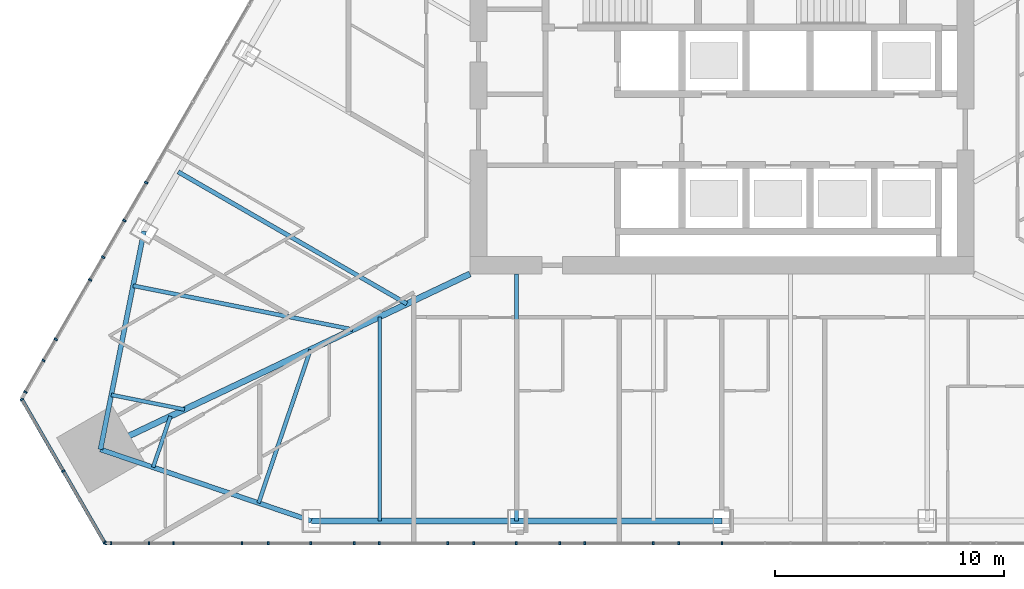
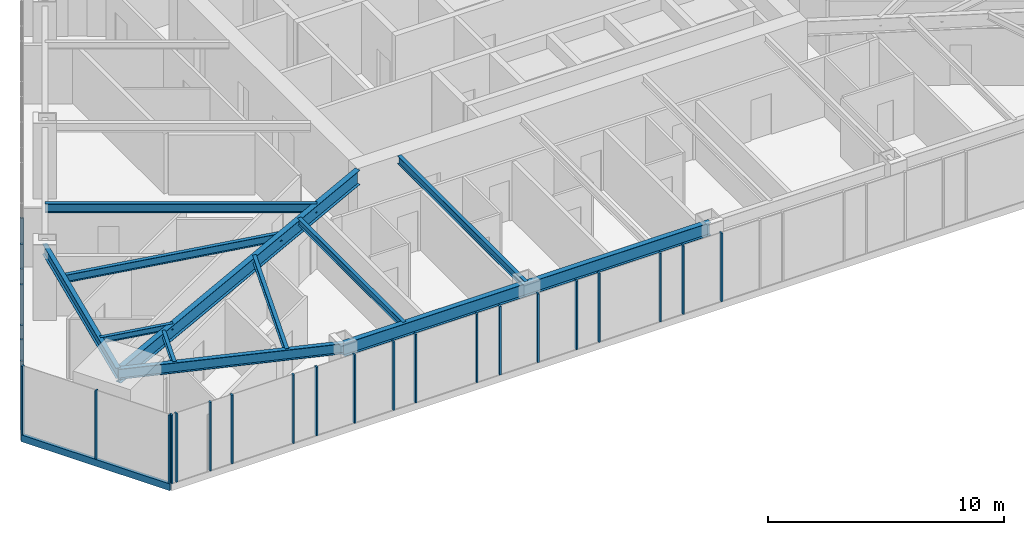
# One storey, part 2 of 26: 28 members, 11 beams, 3 elements without a shape of their own.
"""IFC4 building model written with IfcOpenShell, lengths in metres."""

from ifc_helpers import new_model, si_unit, direction, frame, origin, origin_2d, place, context, subcontext, project, spatial, rectangle, i_section, extrude, material, layer, layer_set, material_profile, profile_set, type_object, element, aggregate, save


model = new_model("IFC4")

# Units and contexts
model_context = context("Model", 3, precision=1e-05, world=origin(), true_north=direction((0.0, 1.0)))
body_context = subcontext(model_context, "Body", "Model", "MODEL_VIEW")
ifc_project = project(units=[si_unit("LENGTHUNIT", "METRE"), si_unit("AREAUNIT", "SQUARE_METRE"), si_unit("VOLUMEUNIT", "CUBIC_METRE"), si_unit("PLANEANGLEUNIT", "RADIAN"), si_unit("MASSUNIT", "GRAM", prefix="KILO")], contexts=[model_context])

# Site, building, storey
site_placement = place(None, origin())
site = spatial("IfcSite", under=ifc_project, at=site_placement, CompositionType="ELEMENT")
building_placement = place(site_placement, origin())
building = spatial("IfcBuilding", under=site, at=building_placement, Name="Firuza Gate Tower and Library", CompositionType="ELEMENT")
storey_placement = place(building_placement, frame((0.0, 0.0, 175.300048828125)))
storey = spatial("IfcBuildingStorey", under=building, at=storey_placement, Name="L40", CompositionType="ELEMENT", Elevation=175.300048828125)

# Curtain wall, members
ifc_material_1 = material(Name="Aluminium 6063-T6", Category="aluminium")
ifc_layer_1 = layer(ifc_material_1, 0.14990234375)
ifc_layer_set_1 = layer_set([ifc_layer_1], Name="Unitised curtain wall, hotel")
curtain_wall_type_1 = type_object("IfcCurtainWallType", Name="Unitised curtain wall, hotel", PredefinedType="NOTDEFINED", material=ifc_layer_set_1)
placement = place(storey_placement, origin())
curtain_wall_1 = element("IfcCurtainWall", 1, at=placement, inside=storey, type_object=curtain_wall_type_1, Name="CW2 L40 S face", PredefinedType="NOTDEFINED")
ifc_material_2 = material(Name="Aluminium 6063-T6", Category="aluminium")
ifc_material_profile_1 = material_profile(ifc_material_2, rectangle(XDim=0.14990234375, YDim=0.080078125, at=origin_2d()))
ifc_profile_set_1 = profile_set([ifc_material_profile_1], Name="Aluminium 6063-T6")
member_type_1 = type_object("IfcMemberType", Name="Curtain wall mullion 80x150", PredefinedType="MULLION", material=ifc_profile_set_1)
member_1_placement = place(storey_placement, frame((48.11083984375, 55.24560546875, 0.14990234375), z_axis=(0.0, 0.0, 1.0), x_axis=(0.0, 1.0, 0.0)))
member_1 = element("IfcMember", 2, at=member_1_placement, type_object=member_type_1, Name="Mullion", PredefinedType="MULLION", context=body_context, shape_type="SweptSolid", body=[
    extrude(rectangle(XDim=0.14990234375, YDim=0.080078125, at=origin_2d()), origin(), (0.0, 0.0, 1.0), 3.550048828125),
])
member_2_placement = place(storey_placement, frame((51.06298828125, 55.24560546875, 0.14990234375), z_axis=(0.0, 0.0, 1.0), x_axis=(0.0, 1.0, 0.0)))
member_2 = element("IfcMember", 3, at=member_2_placement, type_object=member_type_1, Name="Mullion", PredefinedType="MULLION", context=body_context, shape_type="SweptSolid", body=[
    extrude(rectangle(XDim=0.14990234375, YDim=0.080078125, at=origin_2d()), origin(), (0.0, 0.0, 1.0), 3.550048828125),
])
member_3_placement = place(storey_placement, frame((54.05517578125, 55.24560546875, 0.14990234375), z_axis=(0.0, 0.0, 1.0), x_axis=(0.0, 1.0, 0.0)))
member_3 = element("IfcMember", 4, at=member_3_placement, type_object=member_type_1, Name="Mullion", PredefinedType="MULLION", context=body_context, shape_type="SweptSolid", body=[
    extrude(rectangle(XDim=0.14990234375, YDim=0.080078125, at=origin_2d()), origin(), (0.0, 0.0, 1.0), 3.550048828125),
])
member_4_placement = place(storey_placement, frame((57.04736328125, 55.24560546875, 0.14990234375), z_axis=(0.0, 0.0, 1.0), x_axis=(0.0, 1.0, 0.0)))
member_4 = element("IfcMember", 5, at=member_4_placement, type_object=member_type_1, Name="Mullion", PredefinedType="MULLION", context=body_context, shape_type="SweptSolid", body=[
    extrude(rectangle(XDim=0.14990234375, YDim=0.080078125, at=origin_2d()), origin(), (0.0, 0.0, 1.0), 3.550048828125),
])
member_5_placement = place(storey_placement, frame((60.039306640625, 55.24560546875, 0.14990234375), z_axis=(0.0, 0.0, 1.0), x_axis=(0.0, 1.0, 0.0)))
member_5 = element("IfcMember", 6, at=member_5_placement, type_object=member_type_1, Name="Mullion", PredefinedType="MULLION", context=body_context, shape_type="SweptSolid", body=[
    extrude(rectangle(XDim=0.14990234375, YDim=0.080078125, at=origin_2d()), origin(), (0.0, 0.0, 1.0), 3.550048828125),
])
member_6_placement = place(storey_placement, frame((63.031494140625, 55.24560546875, 0.14990234375), z_axis=(0.0, 0.0, 1.0), x_axis=(0.0, 1.0, 0.0)))
member_6 = element("IfcMember", 7, at=member_6_placement, type_object=member_type_1, Name="Mullion", PredefinedType="MULLION", context=body_context, shape_type="SweptSolid", body=[
    extrude(rectangle(XDim=0.14990234375, YDim=0.080078125, at=origin_2d()), origin(), (0.0, 0.0, 1.0), 3.550048828125),
])
member_7_placement = place(storey_placement, frame((66.023681640625, 55.24560546875, 0.14990234375), z_axis=(0.0, 0.0, 1.0), x_axis=(0.0, 1.0, 0.0)))
member_7 = element("IfcMember", 8, at=member_7_placement, type_object=member_type_1, Name="Mullion", PredefinedType="MULLION", context=body_context, shape_type="SweptSolid", body=[
    extrude(rectangle(XDim=0.14990234375, YDim=0.080078125, at=origin_2d()), origin(), (0.0, 0.0, 1.0), 3.550048828125),
])
member_8_placement = place(storey_placement, frame((69.015869140625, 55.24560546875, 0.14990234375), z_axis=(0.0, 0.0, 1.0), x_axis=(0.0, 1.0, 0.0)))
member_8 = element("IfcMember", 9, at=member_8_placement, type_object=member_type_1, Name="Mullion", PredefinedType="MULLION", context=body_context, shape_type="SweptSolid", body=[
    extrude(rectangle(XDim=0.14990234375, YDim=0.080078125, at=origin_2d()), origin(), (0.0, 0.0, 1.0), 3.550048828125),
])
member_9_placement = place(storey_placement, frame((72.0078125, 55.24560546875, 0.14990234375), z_axis=(0.0, 0.0, 1.0), x_axis=(0.0, 1.0, 0.0)))
member_9 = element("IfcMember", 10, at=member_9_placement, type_object=member_type_1, Name="Mullion", PredefinedType="MULLION", context=body_context, shape_type="SweptSolid", body=[
    extrude(rectangle(XDim=0.14990234375, YDim=0.080078125, at=origin_2d()), origin(), (0.0, 0.0, 1.0), 3.550048828125),
])
member_10_placement = place(storey_placement, frame((75.0, 55.24560546875, 0.14990234375), z_axis=(0.0, 0.0, 1.0), x_axis=(0.0, 1.0, 0.0)))
member_10 = element("IfcMember", 11, at=member_10_placement, type_object=member_type_1, Name="Mullion", PredefinedType="MULLION", context=body_context, shape_type="SweptSolid", body=[
    extrude(rectangle(XDim=0.14990234375, YDim=0.080078125, at=origin_2d()), origin(), (0.0, 0.0, 1.0), 3.550048828125),
])
member_11_placement = place(storey_placement, frame((48.3369140625, 55.24560546875, 0.14990234375), z_axis=(0.0, 0.0, 1.0), x_axis=(0.0, 1.0, 0.0)))
member_11 = element("IfcMember", 12, at=member_11_placement, type_object=member_type_1, Name="Mullion", PredefinedType="MULLION", context=body_context, shape_type="SweptSolid", body=[
    extrude(rectangle(XDim=0.14990234375, YDim=0.080078125, at=origin_2d()), origin(), (0.0, 0.0, 1.0), 3.550048828125),
])
member_12_placement = place(storey_placement, frame((49.9921875, 55.24560546875, 0.14990234375), z_axis=(0.0, 0.0, 1.0), x_axis=(0.0, 1.0, 0.0)))
member_12 = element("IfcMember", 13, at=member_12_placement, type_object=member_type_1, Name="Mullion", PredefinedType="MULLION", context=body_context, shape_type="SweptSolid", body=[
    extrude(rectangle(XDim=0.14990234375, YDim=0.080078125, at=origin_2d()), origin(), (0.0, 0.0, 1.0), 3.550048828125),
])
member_13_placement = place(storey_placement, frame((55.1982421875, 55.24560546875, 0.14990234375), z_axis=(0.0, 0.0, 1.0), x_axis=(0.0, 1.0, 0.0)))
member_13 = element("IfcMember", 14, at=member_13_placement, type_object=member_type_1, Name="Mullion", PredefinedType="MULLION", context=body_context, shape_type="SweptSolid", body=[
    extrude(rectangle(XDim=0.14990234375, YDim=0.080078125, at=origin_2d()), origin(), (0.0, 0.0, 1.0), 3.550048828125),
])
member_14_placement = place(storey_placement, frame((58.9541015625, 55.24560546875, 0.14990234375), z_axis=(0.0, 0.0, 1.0), x_axis=(0.0, 1.0, 0.0)))
member_14 = element("IfcMember", 15, at=member_14_placement, type_object=member_type_1, Name="Mullion", PredefinedType="MULLION", context=body_context, shape_type="SweptSolid", body=[
    extrude(rectangle(XDim=0.14990234375, YDim=0.080078125, at=origin_2d()), origin(), (0.0, 0.0, 1.0), 3.550048828125),
])
member_15_placement = place(storey_placement, frame((64.16015625, 55.24560546875, 0.14990234375), z_axis=(0.0, 0.0, 1.0), x_axis=(0.0, 1.0, 0.0)))
member_15 = element("IfcMember", 16, at=member_15_placement, type_object=member_type_1, Name="Mullion", PredefinedType="MULLION", context=body_context, shape_type="SweptSolid", body=[
    extrude(rectangle(XDim=0.14990234375, YDim=0.080078125, at=origin_2d()), origin(), (0.0, 0.0, 1.0), 3.550048828125),
])
member_16_placement = place(storey_placement, frame((67.916015625, 55.24560546875, 0.14990234375), z_axis=(0.0, 0.0, 1.0), x_axis=(0.0, 1.0, 0.0)))
member_16 = element("IfcMember", 17, at=member_16_placement, type_object=member_type_1, Name="Mullion", PredefinedType="MULLION", context=body_context, shape_type="SweptSolid", body=[
    extrude(rectangle(XDim=0.14990234375, YDim=0.080078125, at=origin_2d()), origin(), (0.0, 0.0, 1.0), 3.550048828125),
])
member_17_placement = place(storey_placement, frame((73.1220703125, 55.24560546875, 0.14990234375), z_axis=(0.0, 0.0, 1.0), x_axis=(0.0, 1.0, 0.0)))
member_17 = element("IfcMember", 18, at=member_17_placement, type_object=member_type_1, Name="Mullion", PredefinedType="MULLION", context=body_context, shape_type="SweptSolid", body=[
    extrude(rectangle(XDim=0.14990234375, YDim=0.080078125, at=origin_2d()), origin(), (0.0, 0.0, 1.0), 3.550048828125),
])
aggregate(curtain_wall_1, [member_1, member_2, member_3, member_4, member_5, member_6, member_7, member_8, member_9, member_10, member_11, member_12, member_13, member_14, member_15, member_16, member_17])

curtain_wall_2 = element("IfcCurtainWall", 19, at=placement, inside=storey, type_object=curtain_wall_type_1, Name="CW2 L40 W face", PredefinedType="NOTDEFINED")
member_18_placement = place(storey_placement, frame((48.915771484375, 69.32958984375, 0.14990234375), z_axis=(0.0, 0.0, 1.0), x_axis=(0.866025403784, -0.5, 0.0)))
member_18 = element("IfcMember", 20, at=member_18_placement, type_object=member_type_1, Name="Mullion", PredefinedType="MULLION", context=body_context, shape_type="SweptSolid", body=[
    extrude(rectangle(XDim=0.14990234375, YDim=0.080078125, at=origin_2d()), origin(), (0.0, 0.0, 1.0), 3.550048828125),
])
member_19_placement = place(storey_placement, frame((47.419677734375, 66.738525390625, 0.14990234375), z_axis=(0.0, 0.0, 1.0), x_axis=(0.866025403784, -0.5, 0.0)))
member_19 = element("IfcMember", 21, at=member_19_placement, type_object=member_type_1, Name="Mullion", PredefinedType="MULLION", context=body_context, shape_type="SweptSolid", body=[
    extrude(rectangle(XDim=0.14990234375, YDim=0.080078125, at=origin_2d()), origin(), (0.0, 0.0, 1.0), 3.550048828125),
])
member_20_placement = place(storey_placement, frame((45.923583984375, 64.147216796875, 0.14990234375), z_axis=(0.0, 0.0, 1.0), x_axis=(0.866025403784, -0.5, 0.0)))
member_20 = element("IfcMember", 22, at=member_20_placement, type_object=member_type_1, Name="Mullion", PredefinedType="MULLION", context=body_context, shape_type="SweptSolid", body=[
    extrude(rectangle(XDim=0.14990234375, YDim=0.080078125, at=origin_2d()), origin(), (0.0, 0.0, 1.0), 3.550048828125),
])
member_21_placement = place(storey_placement, frame((49.869140625, 70.981201171875, 0.14990234375), z_axis=(0.0, 0.0, 1.0), x_axis=(0.866025403784, -0.5, 0.0)))
member_21 = element("IfcMember", 23, at=member_21_placement, type_object=member_type_1, Name="Mullion", PredefinedType="MULLION", context=body_context, shape_type="SweptSolid", body=[
    extrude(rectangle(XDim=0.14990234375, YDim=0.080078125, at=origin_2d()), origin(), (0.0, 0.0, 1.0), 3.550048828125),
])
member_22_placement = place(storey_placement, frame((47.9912109375, 67.728271484375, 0.14990234375), z_axis=(0.0, 0.0, 1.0), x_axis=(0.866025403784, -0.5, 0.0)))
member_22 = element("IfcMember", 24, at=member_22_placement, type_object=member_type_1, Name="Mullion", PredefinedType="MULLION", context=body_context, shape_type="SweptSolid", body=[
    extrude(rectangle(XDim=0.14990234375, YDim=0.080078125, at=origin_2d()), origin(), (0.0, 0.0, 1.0), 3.550048828125),
])
member_23_placement = place(storey_placement, frame((45.38818359375, 63.219970703125, 0.14990234375), z_axis=(0.0, 0.0, 1.0), x_axis=(0.866025403784, -0.5, 0.0)))
member_23 = element("IfcMember", 25, at=member_23_placement, type_object=member_type_1, Name="Mullion", PredefinedType="MULLION", context=body_context, shape_type="SweptSolid", body=[
    extrude(rectangle(XDim=0.14990234375, YDim=0.080078125, at=origin_2d()), origin(), (0.0, 0.0, 1.0), 3.550048828125),
])
member_24_placement = place(storey_placement, frame((44.59326171875, 61.8427734375, 0.14990234375), z_axis=(0.0, 0.0, 1.0), x_axis=(0.866025403784, -0.5, 0.0)))
member_24 = element("IfcMember", 26, at=member_24_placement, type_object=member_type_1, Name="Mullion", PredefinedType="MULLION", context=body_context, shape_type="SweptSolid", body=[
    extrude(rectangle(XDim=0.14990234375, YDim=0.080078125, at=origin_2d()), origin(), (0.0, 0.0, 1.0), 3.550048828125),
])
aggregate(curtain_wall_2, [member_18, member_19, member_20, member_21, member_22, member_23, member_24])

ifc_material_3 = material(Name="Aluminium 6063-T6", Category="aluminium")
ifc_layer_2 = layer(ifc_material_3, 0.14990234375)
ifc_layer_set_2 = layer_set([ifc_layer_2], Name="Corner curtain wall, chamfers")
curtain_wall_type_2 = type_object("IfcCurtainWallType", Name="Corner curtain wall, chamfers", PredefinedType="NOTDEFINED", material=ifc_layer_set_2)
curtain_wall_3 = element("IfcCurtainWall", 27, at=placement, inside=storey, type_object=curtain_wall_type_2, Name="CW4 L40 SW corner", PredefinedType="NOTDEFINED")
member_25_placement = place(storey_placement, frame((44.447509765625, 61.521240234375, 0.14990234375), z_axis=(0.0, 0.0, 1.0), x_axis=(0.866025403784, 0.5, 0.0)))
member_25 = element("IfcMember", 28, at=member_25_placement, type_object=member_type_1, Name="Mullion", PredefinedType="MULLION", context=body_context, shape_type="SweptSolid", body=[
    extrude(rectangle(XDim=0.14990234375, YDim=0.080078125, at=origin_2d()), origin(), (0.0, 0.0, 1.0), 3.550048828125),
])
member_26_placement = place(storey_placement, frame((46.249267578125, 58.400634765625, 0.14990234375), z_axis=(0.0, 0.0, 1.0), x_axis=(0.866025403784, 0.5, 0.0)))
member_26 = element("IfcMember", 29, at=member_26_placement, type_object=member_type_1, Name="Mullion", PredefinedType="MULLION", context=body_context, shape_type="SweptSolid", body=[
    extrude(rectangle(XDim=0.14990234375, YDim=0.080078125, at=origin_2d()), origin(), (0.0, 0.0, 1.0), 3.550048828125),
])
member_27_placement = place(storey_placement, frame((48.051025390625, 55.2802734375, 0.14990234375), z_axis=(0.0, 0.0, 1.0), x_axis=(0.866025403784, 0.5, 0.0)))
member_27 = element("IfcMember", 30, at=member_27_placement, type_object=member_type_1, Name="Mullion", PredefinedType="MULLION", context=body_context, shape_type="SweptSolid", body=[
    extrude(rectangle(XDim=0.14990234375, YDim=0.080078125, at=origin_2d()), origin(), (0.0, 0.0, 1.0), 3.550048828125),
])
ifc_material_4 = material(Name="Aluminium 6063-T6", Category="aluminium")
ifc_material_profile_2 = material_profile(ifc_material_4, rectangle(XDim=0.14990234375, YDim=0.35009765625, at=origin_2d()))
ifc_profile_set_2 = profile_set([ifc_material_profile_2], Name="Aluminium 6063-T6")
member_type_2 = type_object("IfcMemberType", Name="Curtain wall transom 350x150", PredefinedType="USERDEFINED", material=ifc_profile_set_2)
member_28_placement = place(storey_placement, frame((44.427734375, 61.555908203125, -0.025146484375), z_axis=(0.499980589496, -0.866036610154, 0.0), x_axis=(0.866036610154, 0.499980589496, 0.0)))
member_28 = element("IfcMember", 31, at=member_28_placement, type_object=member_type_2, Name="Transom", ObjectType="TRANSOM", PredefinedType="USERDEFINED", context=body_context, shape_type="SweptSolid", body=[
    extrude(rectangle(XDim=0.14990234375, YDim=0.35009765625, at=origin_2d()), origin(), (0.0, 0.0, 1.0), 7.286376953125),
])
aggregate(curtain_wall_3, [member_25, member_26, member_27, member_28])

# Beams
ifc_material_5 = material(Name="Steel S355", Category="steel")
ifc_material_profile_3 = material_profile(ifc_material_5, i_section(OverallWidth=0.1650390625, OverallDepth=0.31005859375, WebThickness=0.005859375, FlangeThickness=0.009765625, at=origin_2d()))
ifc_profile_set_3 = profile_set([ifc_material_profile_3], Name="Steel S355")
beam_type_1 = type_object("IfcBeamType", Name="W310x39 Floor beam", PredefinedType="JOIST", material=ifc_profile_set_3)
beam_1_placement = place(storey_placement, frame((48.348388671875, 61.720458984375, 3.544921875), z_axis=(0.980672759664, -0.195655151867, 0.0), x_axis=(0.195655151867, 0.980672759664, 0.0)))
element("IfcBeam", 32, at=beam_1_placement, inside=storey, type_object=beam_type_1, Name="Floor beam L40 s01", PredefinedType="JOIST", context=body_context, shape_type="SweptSolid", body=[
    extrude(i_section(OverallWidth=0.1650390625, OverallDepth=0.31005859375, WebThickness=0.005859375, FlangeThickness=0.009765625, at=origin_2d()), origin(), (0.0, 0.0, 1.0), 3.25927734375),
])
beam_2_placement = place(storey_placement, frame((50.173828125, 58.558837890625, 3.544921875), z_axis=(0.320886488599, 0.947117659763, 0.0), x_axis=(-0.947117659763, 0.320886488599, 0.0)))
element("IfcBeam", 33, at=beam_2_placement, inside=storey, type_object=beam_type_1, Name="Floor beam L40 s10", PredefinedType="JOIST", context=body_context, shape_type="SweptSolid", body=[
    extrude(i_section(OverallWidth=0.1650390625, OverallDepth=0.31005859375, WebThickness=0.005859375, FlangeThickness=0.009765625, at=origin_2d()), origin(), (0.0, 0.0, 1.0), 2.356201171875),
])
ifc_material_6 = material(Name="Steel S355", Category="steel")
ifc_material_profile_4 = material_profile(ifc_material_6, i_section(OverallWidth=0.1708984375, OverallDepth=0.35498046875, WebThickness=0.007080078125, FlangeThickness=0.01171875, at=origin_2d()))
ifc_profile_set_4 = profile_set([ifc_material_profile_4], Name="Steel S355")
beam_type_2 = type_object("IfcBeamType", Name="W360x51 Floor beam", PredefinedType="JOIST", material=ifc_profile_set_4)
beam_3_placement = place(storey_placement, frame((54.775390625, 57.0, 3.5224609375), z_axis=(0.320855506984, 0.947128155868, 0.0), x_axis=(-0.947128155868, 0.320855506984, 0.0)))
element("IfcBeam", 34, at=beam_3_placement, inside=storey, type_object=beam_type_2, Name="Floor beam L40 s11", PredefinedType="JOIST", context=body_context, shape_type="SweptSolid", body=[
    extrude(i_section(OverallWidth=0.1708984375, OverallDepth=0.35498046875, WebThickness=0.007080078125, FlangeThickness=0.01171875, at=origin_2d()), origin(), (0.0, 0.0, 1.0), 7.06884765625),
])
beam_4_placement = place(storey_placement, frame((60.0634765625, 56.220458984375, 3.5224609375), z_axis=(0.0, 1.0, 0.0), x_axis=(-1.0, 0.0, 0.0)))
element("IfcBeam", 35, at=beam_4_placement, inside=storey, type_object=beam_type_2, Name="Floor beam L40 s20", PredefinedType="JOIST", context=body_context, shape_type="SweptSolid", body=[
    extrude(i_section(OverallWidth=0.1708984375, OverallDepth=0.35498046875, WebThickness=0.007080078125, FlangeThickness=0.01171875, at=origin_2d()), origin(), (0.0, 0.0, 1.0), 8.909423828125),
])
ifc_material_7 = material(Name="Steel S355", Category="steel")
ifc_material_profile_5 = material_profile(ifc_material_7, i_section(OverallWidth=0.177978515625, OverallDepth=0.406982421875, WebThickness=0.0078125, FlangeThickness=0.0126953125, at=origin_2d()))
ifc_profile_set_5 = profile_set([ifc_material_profile_5], Name="Steel S355")
beam_type_3 = type_object("IfcBeamType", Name="W410x60 Floor beam", PredefinedType="JOIST", material=ifc_profile_set_5)
beam_5_placement = place(storey_placement, frame((49.29931640625, 66.48486328125, 3.496337890625), z_axis=(0.980667968547, -0.195679164617, 0.0), x_axis=(0.195679164617, 0.980667968547, 0.0)))
element("IfcBeam", 36, at=beam_5_placement, inside=storey, type_object=beam_type_3, Name="Floor beam L40 s00", PredefinedType="JOIST", context=body_context, shape_type="SweptSolid", body=[
    extrude(i_section(OverallWidth=0.177978515625, OverallDepth=0.406982421875, WebThickness=0.0078125, FlangeThickness=0.0126953125, at=origin_2d()), origin(), (0.0, 0.0, 1.0), 9.77783203125),
])
beam_6_placement = place(storey_placement, frame((66.0380859375, 56.220458984375, 3.496337890625), z_axis=(0.0, 1.0, 0.0), x_axis=(-1.0, 0.0, 0.0)))
element("IfcBeam", 37, at=beam_6_placement, inside=storey, type_object=beam_type_3, Name="Floor beam L40 s21", PredefinedType="JOIST", context=body_context, shape_type="SweptSolid", body=[
    extrude(i_section(OverallWidth=0.177978515625, OverallDepth=0.406982421875, WebThickness=0.0078125, FlangeThickness=0.0126953125, at=origin_2d()), origin(), (0.0, 0.0, 1.0), 10.779541015625),
])
ifc_material_8 = material(Name="Steel S355", Category="steel")
ifc_material_profile_6 = material_profile(ifc_material_8, i_section(OverallWidth=0.18994140625, OverallDepth=0.45703125, WebThickness=0.009033203125, FlangeThickness=0.014404296875, at=origin_2d()))
ifc_profile_set_6 = profile_set([ifc_material_profile_6], Name="Steel S355")
beam_type_4 = type_object("IfcBeamType", Name="W460x74 Floor beam", PredefinedType="JOIST", material=ifc_profile_set_6)
beam_7_placement = place(storey_placement, frame((51.268310546875, 71.454345703125, 3.471435546875), z_axis=(0.866028586684, -0.499994487016, 0.0), x_axis=(0.499994487016, 0.866028586684, 0.0)))
element("IfcBeam", 38, at=beam_7_placement, inside=storey, type_object=beam_type_4, Name="Floor beam L40 s85", PredefinedType="JOIST", context=body_context, shape_type="SweptSolid", body=[
    extrude(i_section(OverallWidth=0.18994140625, OverallDepth=0.45703125, WebThickness=0.009033203125, FlangeThickness=0.014404296875, at=origin_2d()), origin(), (0.0, 0.0, 1.0), 11.523681640625),
])
ifc_material_9 = material(Name="Steel S355", Category="steel")
ifc_material_profile_7 = material_profile(ifc_material_9, i_section(OverallWidth=0.212890625, OverallDepth=0.5390625, WebThickness=0.01171875, FlangeThickness=0.018798828125, at=origin_2d()))
ifc_profile_set_7 = profile_set([ifc_material_profile_7], Name="Steel S355")
beam_type_5 = type_object("IfcBeamType", Name="W530x109 Edge beam", PredefinedType="SPANDREL", material=ifc_profile_set_7)
beam_8_placement = place(storey_placement, frame((49.774658203125, 68.8671875, 3.430419921875), z_axis=(-0.195700584523, -0.980663694249, 0.0), x_axis=(0.980663694249, -0.195700584523, 0.0)))
element("IfcBeam", 39, at=beam_8_placement, inside=storey, type_object=beam_type_5, Name="Edge beam L40 e00", PredefinedType="SPANDREL", context=body_context, shape_type="SweptSolid", body=[
    extrude(i_section(OverallWidth=0.212890625, OverallDepth=0.5390625, WebThickness=0.01171875, FlangeThickness=0.018798828125, at=origin_2d()), origin(), (0.0, 0.0, 1.0), 9.717041015625),
])
beam_9_placement = place(storey_placement, frame((47.873046875, 59.338134765625, 3.430419921875), z_axis=(0.947129305781, -0.320852112554, 0.0), x_axis=(0.320852112554, 0.947129305781, 0.0)))
element("IfcBeam", 40, at=beam_9_placement, inside=storey, type_object=beam_type_5, Name="Edge beam L40 e10", PredefinedType="SPANDREL", context=body_context, shape_type="SweptSolid", body=[
    extrude(i_section(OverallWidth=0.212890625, OverallDepth=0.5390625, WebThickness=0.01171875, FlangeThickness=0.018798828125, at=origin_2d()), origin(), (0.0, 0.0, 1.0), 9.716796875),
])
ifc_material_10 = material(Name="Steel S355", Category="steel")
ifc_material_profile_8 = material_profile(ifc_material_10, i_section(OverallWidth=0.2529296875, OverallDepth=0.677978515625, WebThickness=0.01171875, FlangeThickness=0.016357421875, at=origin_2d()))
ifc_profile_set_8 = profile_set([ifc_material_profile_8], Name="Steel S355")
beam_type_6 = type_object("IfcBeamType", Name="W690x125 Edge beam", PredefinedType="SPANDREL", material=ifc_profile_set_8)
beam_10_placement = place(storey_placement, frame((57.076171875, 56.220458984375, 3.36083984375), z_axis=(1.0, 0.0, 0.0), x_axis=(0.0, 1.0, 0.0)))
element("IfcBeam", 41, at=beam_10_placement, inside=storey, type_object=beam_type_6, Name="Edge beam L40 e20", PredefinedType="SPANDREL", context=body_context, shape_type="SweptSolid", body=[
    extrude(i_section(OverallWidth=0.2529296875, OverallDepth=0.677978515625, WebThickness=0.01171875, FlangeThickness=0.016357421875, at=origin_2d()), origin(), (0.0, 0.0, 1.0), 17.923828125),
])
ifc_material_11 = material(Name="Steel S355", Category="steel")
ifc_material_profile_9 = material_profile(ifc_material_11, i_section(OverallWidth=0.264892578125, OverallDepth=0.7529296875, WebThickness=0.01318359375, FlangeThickness=0.01708984375, at=origin_2d()))
ifc_profile_set_9 = profile_set([ifc_material_profile_9], Name="Steel S355")
beam_type_7 = type_object("IfcBeamType", Name="W760x147 Girder", PredefinedType="BEAM", material=ifc_profile_set_9)
beam_11_placement = place(storey_placement, frame((47.873046875, 59.338134765625, 3.323486328125), z_axis=(0.903243585223, 0.429128215984, 0.0), x_axis=(-0.429128215984, 0.903243585223, 0.0)))
element("IfcBeam", 42, at=beam_11_placement, inside=storey, type_object=beam_type_7, Name="Girder L40 gSW", PredefinedType="BEAM", context=body_context, shape_type="SweptSolid", body=[
    extrude(i_section(OverallWidth=0.264892578125, OverallDepth=0.7529296875, WebThickness=0.01318359375, FlangeThickness=0.01708984375, at=origin_2d()), origin(), (0.0, 0.0, 1.0), 17.8544921875),
])

save(model, "model.ifc")
